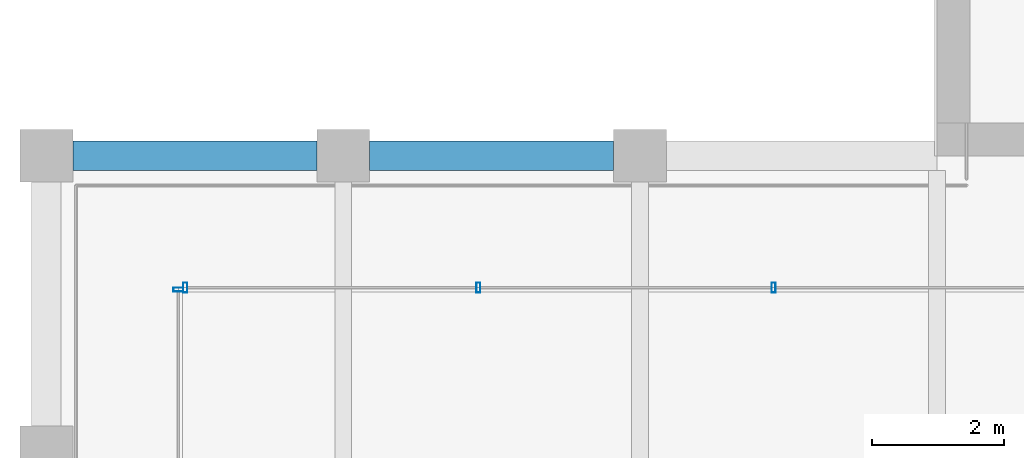
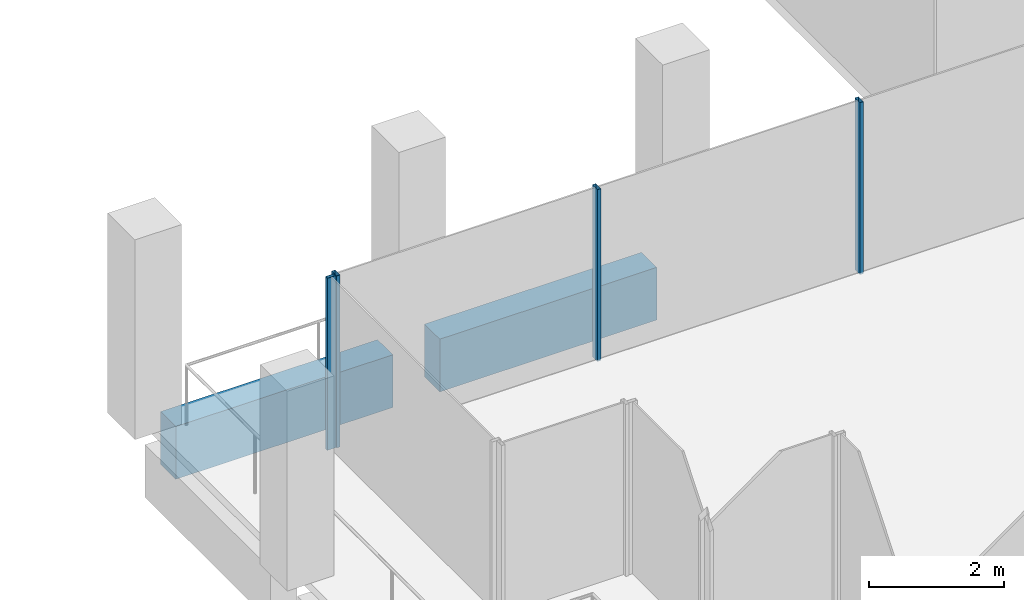
# One storey, part 5 of 41: 4 members, 2 beams, 2 elements without a shape of their own.
"""IFC4 building model written with IfcOpenShell, lengths in metres."""

from ifc_helpers import new_model, si_unit, direction, frame, origin, origin_2d, place, context, subcontext, project, spatial, rectangle, hollow_rectangle, extrude, material, material_profile, profile_set, type_object, element, aggregate, save


model = new_model("IFC4")

# Units and contexts
model_context = context("Model", 3, precision=1e-05, world=origin(), true_north=direction((0.0, 1.0)))
body_context = subcontext(model_context, "Body", "Model", "MODEL_VIEW")
ifc_project = project(units=[si_unit("LENGTHUNIT", "METRE"), si_unit("AREAUNIT", "SQUARE_METRE"), si_unit("VOLUMEUNIT", "CUBIC_METRE"), si_unit("PLANEANGLEUNIT", "RADIAN"), si_unit("MASSUNIT", "GRAM", prefix="KILO")], contexts=[model_context])

# Site, building, storey
site_placement = place(None, origin())
site = spatial("IfcSite", under=ifc_project, at=site_placement, CompositionType="ELEMENT")
building_placement = place(site_placement, origin())
building = spatial("IfcBuilding", under=site, at=building_placement, Name="Altepetl Exchange Towers", CompositionType="ELEMENT")
storey_placement = place(building_placement, frame((0.0, 0.0, 206.39990234375)))
storey = spatial("IfcBuildingStorey", under=building, at=storey_placement, Name="L52", CompositionType="ELEMENT", Elevation=206.39990234375)

# Curtain wall, members
ifc_material_1 = material(Name="Aluminium 6063-T6 glazing", Category="aluminium")
curtain_wall_type = type_object("IfcCurtainWallType", Name="Loggia glazing system", PredefinedType="NOTDEFINED", material=ifc_material_1)
curtain_wall_1_placement = place(storey_placement, origin())
curtain_wall_1 = element("IfcCurtainWall", 1, at=curtain_wall_1_placement, inside=storey, type_object=curtain_wall_type, Name="CW1 run", PredefinedType="NOTDEFINED")
ifc_material_2 = material(Name="Aluminium 6063-T6", Category="aluminium")
ifc_material_profile_1 = material_profile(ifc_material_2, hollow_rectangle(XDim=0.06005859375, YDim=0.14990234375, WallThickness=0.0029296875, at=origin_2d()), Name="Mullion 60x150 aluminium")
ifc_profile_set_1 = profile_set([ifc_material_profile_1], Name="Aluminium 6063-T6")
member_type = type_object("IfcMemberType", Name="Mullion 60x150 aluminium", PredefinedType="MULLION", material=ifc_profile_set_1)
member_1_placement = place(storey_placement, frame((38.02490234375, 38.5, 0.0), z_axis=(0.0, 0.0, 1.0), x_axis=(-1.0, 0.0, 0.0)))
member_1 = element("IfcMember", 2, at=member_1_placement, type_object=member_type, Name="MU1 mullion", PredefinedType="MULLION", context=body_context, shape_type="SweptSolid", body=[
    extrude(hollow_rectangle(XDim=0.06005859375, YDim=0.14990234375, WallThickness=0.0029296875, at=origin_2d()), origin(), (0.0, 0.0, 1.0), 3.10009765625),
])
member_2_placement = place(storey_placement, frame((33.550048828125, 38.5, 0.0), z_axis=(0.0, 0.0, 1.0), x_axis=(-1.0, 0.0, 0.0)))
member_2 = element("IfcMember", 3, at=member_2_placement, type_object=member_type, Name="MU1 mullion", PredefinedType="MULLION", context=body_context, shape_type="SweptSolid", body=[
    extrude(hollow_rectangle(XDim=0.06005859375, YDim=0.14990234375, WallThickness=0.0029296875, at=origin_2d()), origin(), (0.0, 0.0, 1.0), 3.10009765625),
])
member_3_placement = place(storey_placement, frame((29.10498046875, 38.5, 0.0), z_axis=(0.0, 0.0, 1.0), x_axis=(-1.0, 0.0, 0.0)))
member_3 = element("IfcMember", 4, at=member_3_placement, type_object=member_type, Name="MU1 mullion", PredefinedType="MULLION", context=body_context, shape_type="SweptSolid", body=[
    extrude(hollow_rectangle(XDim=0.06005859375, YDim=0.14990234375, WallThickness=0.0029296875, at=origin_2d()), origin(), (0.0, 0.0, 1.0), 3.10009765625),
])
aggregate(curtain_wall_1, [member_1, member_2, member_3])

# Curtain wall, member
curtain_wall_2_placement = place(storey_placement, origin())
curtain_wall_2 = element("IfcCurtainWall", 5, at=curtain_wall_2_placement, inside=storey, type_object=curtain_wall_type, Name="CW1 run", PredefinedType="NOTDEFINED")
member_4_placement = place(storey_placement, frame((29.0, 38.469970703125, 0.0), z_axis=(0.0, 0.0, 1.0), x_axis=(0.0, -1.0, 0.0)))
member_4 = element("IfcMember", 6, at=member_4_placement, type_object=member_type, Name="MU1 mullion", PredefinedType="MULLION", context=body_context, shape_type="SweptSolid", body=[
    extrude(hollow_rectangle(XDim=0.06005859375, YDim=0.14990234375, WallThickness=0.0029296875, at=origin_2d()), origin(), (0.0, 0.0, 1.0), 3.10009765625),
])
aggregate(curtain_wall_2, [member_4])

# Beams
ifc_material_3 = material(Name="Concrete C50/60 precast with tezontle facing", Category="concrete")
ifc_material_profile_2 = material_profile(ifc_material_3, rectangle(XDim=0.449951171875, YDim=0.949951171875, at=origin_2d()), Name="450 x 950")
ifc_profile_set_2 = profile_set([ifc_material_profile_2], Name="Concrete C50/60 precast with tezontle facing")
beam_type = type_object("IfcBeamType", Name="Spandrel beam 450x950 tezontle", PredefinedType="SPANDREL", material=ifc_profile_set_2)
for number, where, z_axis, x_axis, name in (
    (7, (35.60009765625, 40.5, -0.625), (-1.0, 0.0, 0.0), (0.0, -1.0, 0.0), "sp:A:L52:034"),
    (8, (31.10009765625, 40.5, -0.625), (-1.0, 0.0, 0.0), (0.0, -1.0, 0.0), "sp:A:L52:035"),
):
    element("IfcBeam", number, at=place(storey_placement, frame(where, z_axis=z_axis, x_axis=x_axis)), inside=storey, type_object=beam_type, Name=name, PredefinedType="SPANDREL", context=body_context, shape_type="SweptSolid", body=[
        extrude(rectangle(XDim=0.449951171875, YDim=0.949951171875, at=origin_2d()), origin(), (0.0, 0.0, 1.0), 3.7001953125),
    ])

save(model, "model.ifc")
